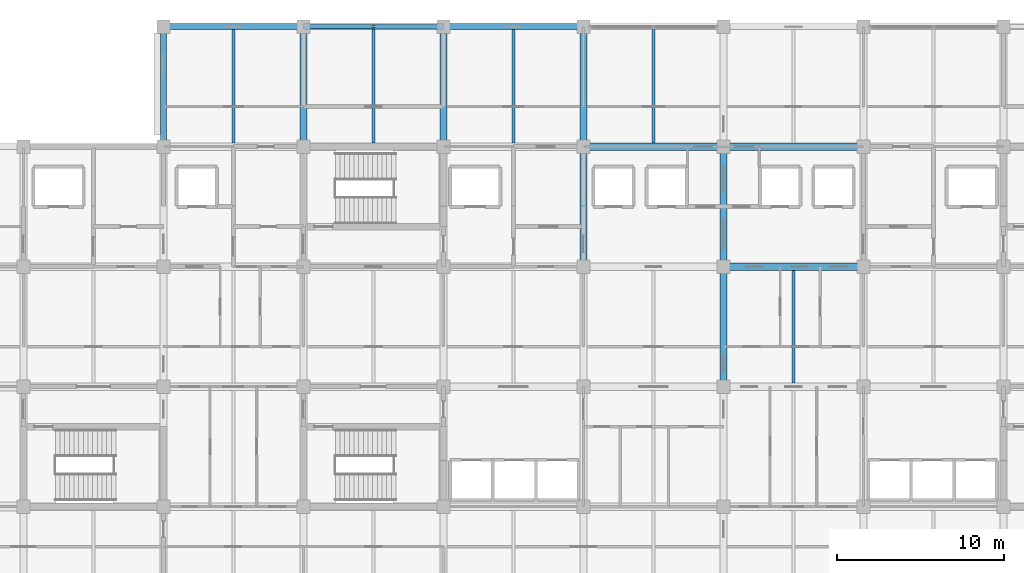
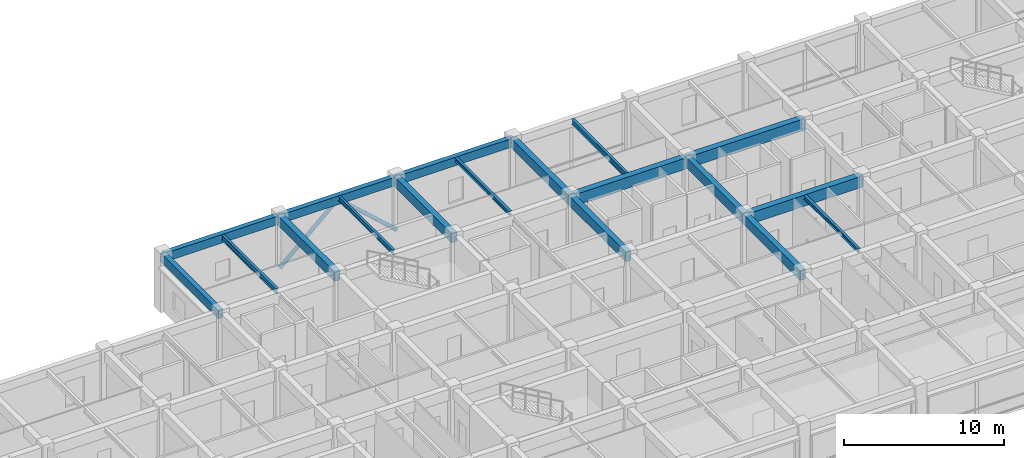
# One storey, part 5 of 30: 18 beams, 2 members.
"""IFC4 building model written with IfcOpenShell, lengths in metres."""

from ifc_helpers import new_model, si_unit, direction, frame, origin, origin_2d, place, context, subcontext, project, spatial, rectangle, hollow_circle, i_section, extrude, material, material_profile, profile_set, type_object, element, save


model = new_model("IFC4")

# Units and contexts
model_context = context("Model", 3, precision=1e-05, world=origin(), true_north=direction((0.0, 1.0)))
body_context = subcontext(model_context, "Body", "Model", "MODEL_VIEW")
ifc_project = project(units=[si_unit("LENGTHUNIT", "METRE"), si_unit("AREAUNIT", "SQUARE_METRE"), si_unit("VOLUMEUNIT", "CUBIC_METRE"), si_unit("PLANEANGLEUNIT", "RADIAN"), si_unit("MASSUNIT", "GRAM", prefix="KILO")], contexts=[model_context])

# Site, building, storey
site_placement = place(None, origin())
site = spatial("IfcSite", under=ifc_project, at=site_placement, CompositionType="ELEMENT")
building_placement = place(site_placement, origin())
building = spatial("IfcBuilding", under=site, at=building_placement, Name="Chengyuan Square Courthouse", CompositionType="ELEMENT")
storey_placement = place(building_placement, frame((0.0, 0.0, 26.10009765625)))
storey = spatial("IfcBuildingStorey", under=building, at=storey_placement, Name="L06", CompositionType="ELEMENT", Elevation=26.10009765625)

# Beams
ifc_material_1 = material(Name="Concrete C40", Category="concrete")
ifc_material_profile_1 = material_profile(ifc_material_1, rectangle(XDim=0.449951171875, YDim=0.85009765625, at=origin_2d()), Name="RC-BM-450x850")
ifc_profile_set_1 = profile_set([ifc_material_profile_1], Name="Concrete C40")
beam_type_1 = type_object("IfcBeamType", Name="BM-01", PredefinedType="USERDEFINED", material=ifc_profile_set_1)
for number, where, z_axis, x_axis, name in (
    (1, (84.0, 100.800048828125, 3.81494140625), (1.0, 0.0, 0.0), (0.0, 1.0, 0.0), "Girder BM-L06-3431"),
    (2, (75.60009765625, 108.0, 3.81494140625), (1.0, 0.0, 0.0), (0.0, 1.0, 0.0), "Girder BM-L06-3444"),
    (3, (84.0, 108.0, 3.81494140625), (1.0, 0.0, 0.0), (0.0, 1.0, 0.0), "Girder BM-L06-3445"),
):
    element("IfcBeam", number, at=place(storey_placement, frame(where, z_axis=z_axis, x_axis=x_axis)), inside=storey, type_object=beam_type_1, Name=name, ObjectType="GIRDER", PredefinedType="USERDEFINED", context=body_context, shape_type="SweptSolid", body=[
        extrude(rectangle(XDim=0.449951171875, YDim=0.85009765625, at=origin_2d()), origin(), (0.0, 0.0, 1.0), 8.39990234375),
    ])
ifc_material_profile_2 = material_profile(ifc_material_1, rectangle(XDim=0.39990234375, YDim=0.75, at=origin_2d()), Name="RC-BM-400x750")
ifc_profile_set_2 = profile_set([ifc_material_profile_2], Name="Concrete C40")
beam_type_2 = type_object("IfcBeamType", Name="BM-02", PredefinedType="USERDEFINED", material=ifc_profile_set_2)
for number, where, z_axis, x_axis, name in (
    (4, (58.800048828125, 108.0, 3.864990234375), (0.0, 1.0, 0.0), (-1.0, 0.0, 0.0), "Girder BM-L06-3478"),
    (5, (67.199951171875, 108.0, 3.864990234375), (0.0, 1.0, 0.0), (-1.0, 0.0, 0.0), "Girder BM-L06-3483"),
    (6, (75.60009765625, 100.800048828125, 3.864990234375), (0.0, 1.0, 0.0), (-1.0, 0.0, 0.0), "Girder BM-L06-3487"),
    (7, (75.60009765625, 108.0, 3.864990234375), (0.0, 1.0, 0.0), (-1.0, 0.0, 0.0), "Girder BM-L06-3488"),
    (8, (84.0, 93.60009765625, 3.864990234375), (0.0, 1.0, 0.0), (-1.0, 0.0, 0.0), "Girder BM-L06-3491"),
    (9, (84.0, 100.800048828125, 3.864990234375), (0.0, 1.0, 0.0), (-1.0, 0.0, 0.0), "Girder BM-L06-3492"),
):
    element("IfcBeam", number, at=place(storey_placement, frame(where, z_axis=z_axis, x_axis=x_axis)), inside=storey, type_object=beam_type_2, Name=name, ObjectType="GIRDER", PredefinedType="USERDEFINED", context=body_context, shape_type="SweptSolid", body=[
        extrude(rectangle(XDim=0.39990234375, YDim=0.75, at=origin_2d()), origin(), (0.0, 0.0, 1.0), 7.199951171875),
    ])
ifc_material_profile_3 = material_profile(ifc_material_1, rectangle(XDim=0.35009765625, YDim=0.64990234375, at=origin_2d()), Name="RC-BM-350x650")
ifc_profile_set_3 = profile_set([ifc_material_profile_3], Name="Concrete C40")
beam_type_3 = type_object("IfcBeamType", Name="BM-03", PredefinedType="SPANDREL", material=ifc_profile_set_3)
beam_1_placement = place(storey_placement, frame((50.39990234375, 115.199951171875, 3.914794921875), z_axis=(1.0, 0.0, 0.0), x_axis=(0.0, 1.0, 0.0)))
element("IfcBeam", 10, at=beam_1_placement, inside=storey, type_object=beam_type_3, Name="Girder BM-L06-3452", PredefinedType="SPANDREL", context=body_context, shape_type="SweptSolid", body=[
    extrude(rectangle(XDim=0.35009765625, YDim=0.64990234375, at=origin_2d()), origin(), (0.0, 0.0, 1.0), 8.400146484375),
])
beam_2_placement = place(storey_placement, frame((58.800048828125, 115.199951171875, 3.914794921875), z_axis=(1.0, 0.0, 0.0), x_axis=(0.0, 1.0, 0.0)))
element("IfcBeam", 11, at=beam_2_placement, inside=storey, type_object=beam_type_3, Name="Girder BM-L06-3453", PredefinedType="SPANDREL", context=body_context, shape_type="SweptSolid", body=[
    extrude(rectangle(XDim=0.35009765625, YDim=0.64990234375, at=origin_2d()), origin(), (0.0, 0.0, 1.0), 8.39990234375),
])
beam_3_placement = place(storey_placement, frame((67.199951171875, 115.199951171875, 3.914794921875), z_axis=(1.0, 0.0, 0.0), x_axis=(0.0, 1.0, 0.0)))
element("IfcBeam", 12, at=beam_3_placement, inside=storey, type_object=beam_type_3, Name="Girder BM-L06-3454", PredefinedType="SPANDREL", context=body_context, shape_type="SweptSolid", body=[
    extrude(rectangle(XDim=0.35009765625, YDim=0.64990234375, at=origin_2d()), origin(), (0.0, 0.0, 1.0), 8.400146484375),
])
beam_4_placement = place(storey_placement, frame((50.39990234375, 108.0, 3.914794921875), z_axis=(0.0, 1.0, 0.0), x_axis=(-1.0, 0.0, 0.0)))
element("IfcBeam", 13, at=beam_4_placement, inside=storey, type_object=beam_type_3, Name="Girder BM-L06-3473", PredefinedType="SPANDREL", context=body_context, shape_type="SweptSolid", body=[
    extrude(rectangle(XDim=0.35009765625, YDim=0.64990234375, at=origin_2d()), origin(), (0.0, 0.0, 1.0), 7.199951171875),
])
ifc_material_2 = material(Name="Steel Q355B", Category="steel")
ifc_material_profile_4 = material_profile(ifc_material_2, i_section(OverallWidth=0.199951171875, OverallDepth=0.39990234375, WebThickness=0.008056640625, FlangeThickness=0.012939453125, at=origin_2d()), Name="HN 400x200x8x13")
ifc_profile_set_4 = profile_set([ifc_material_profile_4], Name="Steel Q355B")
beam_type_4 = type_object("IfcBeamType", Name="BM-07", PredefinedType="BEAM", material=ifc_profile_set_4)
for number, where, z_axis, x_axis, name in (
    (14, (54.60009765625, 108.22509765625, 4.039794921875), (0.0, 1.0, 0.0), (-1.0, 0.0, 0.0), "Secondary Floor Beam SBM-L06-3538"),
    (15, (79.800048828125, 108.22509765625, 4.039794921875), (0.0, 1.0, 0.0), (-1.0, 0.0, 0.0), "Secondary Floor Beam SBM-L06-3549"),
):
    element("IfcBeam", number, at=place(storey_placement, frame(where, z_axis=z_axis, x_axis=x_axis)), inside=storey, type_object=beam_type_4, Name=name, PredefinedType="BEAM", context=body_context, shape_type="SweptSolid", body=[
        extrude(i_section(OverallWidth=0.199951171875, OverallDepth=0.39990234375, WebThickness=0.008056640625, FlangeThickness=0.012939453125, at=origin_2d()), origin(), (0.0, 0.0, 1.0), 6.7998046875),
    ])
ifc_material_profile_5 = material_profile(ifc_material_2, i_section(OverallWidth=0.175048828125, OverallDepth=0.35009765625, WebThickness=0.007080078125, FlangeThickness=0.010986328125, at=origin_2d()), Name="HN 350x175x7x11")
ifc_profile_set_5 = profile_set([ifc_material_profile_5], Name="Steel Q355B")
beam_type_5 = type_object("IfcBeamType", Name="BM-08", PredefinedType="BEAM", material=ifc_profile_set_5)
beam_5_placement = place(storey_placement, frame((63.0, 108.22509765625, 4.06494140625), z_axis=(0.0, 1.0, 0.0), x_axis=(-1.0, 0.0, 0.0)))
element("IfcBeam", 16, at=beam_5_placement, inside=storey, type_object=beam_type_5, Name="Secondary Floor Beam SBM-L06-3541", PredefinedType="BEAM", context=body_context, shape_type="SweptSolid", body=[
    extrude(i_section(OverallWidth=0.175048828125, OverallDepth=0.35009765625, WebThickness=0.007080078125, FlangeThickness=0.010986328125, at=origin_2d()), origin(), (0.0, 0.0, 1.0), 6.7998046875),
])
ifc_material_profile_6 = material_profile(ifc_material_2, i_section(OverallWidth=0.199951171875, OverallDepth=0.300048828125, WebThickness=0.008056640625, FlangeThickness=0.011962890625, at=origin_2d()), Name="HM 300x200x8x12")
ifc_profile_set_6 = profile_set([ifc_material_profile_6], Name="Steel Q355B")
beam_type_6 = type_object("IfcBeamType", Name="BM-09", PredefinedType="BEAM", material=ifc_profile_set_6)
beam_6_placement = place(storey_placement, frame((71.39990234375, 108.22509765625, 4.08984375), z_axis=(0.0, 1.0, 0.0), x_axis=(-1.0, 0.0, 0.0)))
element("IfcBeam", 17, at=beam_6_placement, inside=storey, type_object=beam_type_6, Name="Secondary Floor Beam SBM-L06-3545", PredefinedType="BEAM", context=body_context, shape_type="SweptSolid", body=[
    extrude(i_section(OverallWidth=0.199951171875, OverallDepth=0.300048828125, WebThickness=0.008056640625, FlangeThickness=0.011962890625, at=origin_2d()), origin(), (0.0, 0.0, 1.0), 6.7998046875),
])
beam_7_placement = place(storey_placement, frame((88.199951171875, 93.824951171875, 4.08984375), z_axis=(0.0, 1.0, 0.0), x_axis=(-1.0, 0.0, 0.0)))
element("IfcBeam", 18, at=beam_7_placement, inside=storey, type_object=beam_type_6, Name="Secondary Floor Beam SBM-L06-3552", PredefinedType="BEAM", context=body_context, shape_type="SweptSolid", body=[
    extrude(i_section(OverallWidth=0.199951171875, OverallDepth=0.300048828125, WebThickness=0.008056640625, FlangeThickness=0.011962890625, at=origin_2d()), origin(), (0.0, 0.0, 1.0), 6.75),
])

# Members
ifc_material_profile_7 = material_profile(ifc_material_2, hollow_circle(Radius=0.136474609375, WallThickness=0.010009765625, at=origin_2d()), Name="CHS 273x10")
ifc_profile_set_7 = profile_set([ifc_material_profile_7], Name="Steel Q355B")
member_type = type_object("IfcMemberType", Name="BR-01", PredefinedType="BRACE", material=ifc_profile_set_7)
for number, where, z_axis, x_axis, name in (
    (19, (58.800048828125, 115.199951171875, 0.099853515625), (0.742407252639, 0.0, 0.669948857174), (0.0, 1.0, 0.0), "Steel Chevron Brace BR-L06-021"),
    (20, (67.199951171875, 115.199951171875, 0.099853515625), (-0.742407252639, 0.0, 0.669948857174), (0.0, -1.0, 0.0), "Steel Chevron Brace BR-L06-022"),
):
    element("IfcMember", number, at=place(storey_placement, frame(where, z_axis=z_axis, x_axis=x_axis)), inside=storey, type_object=member_type, Name=name, PredefinedType="BRACE", context=body_context, shape_type="SweptSolid", body=[
        extrude(hollow_circle(Radius=0.136474609375, WallThickness=0.010009765625, at=origin_2d()), origin(), (0.0, 0.0, 1.0), 5.6572265625),
    ])

save(model, "model.ifc")
